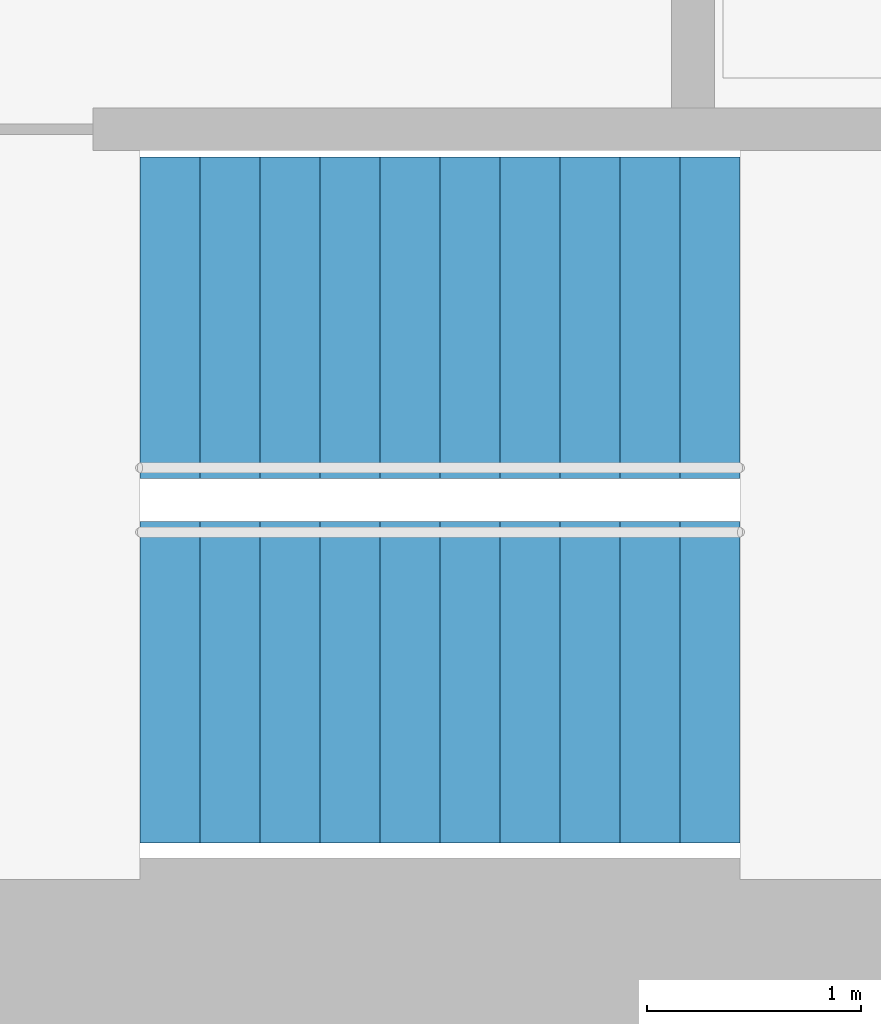
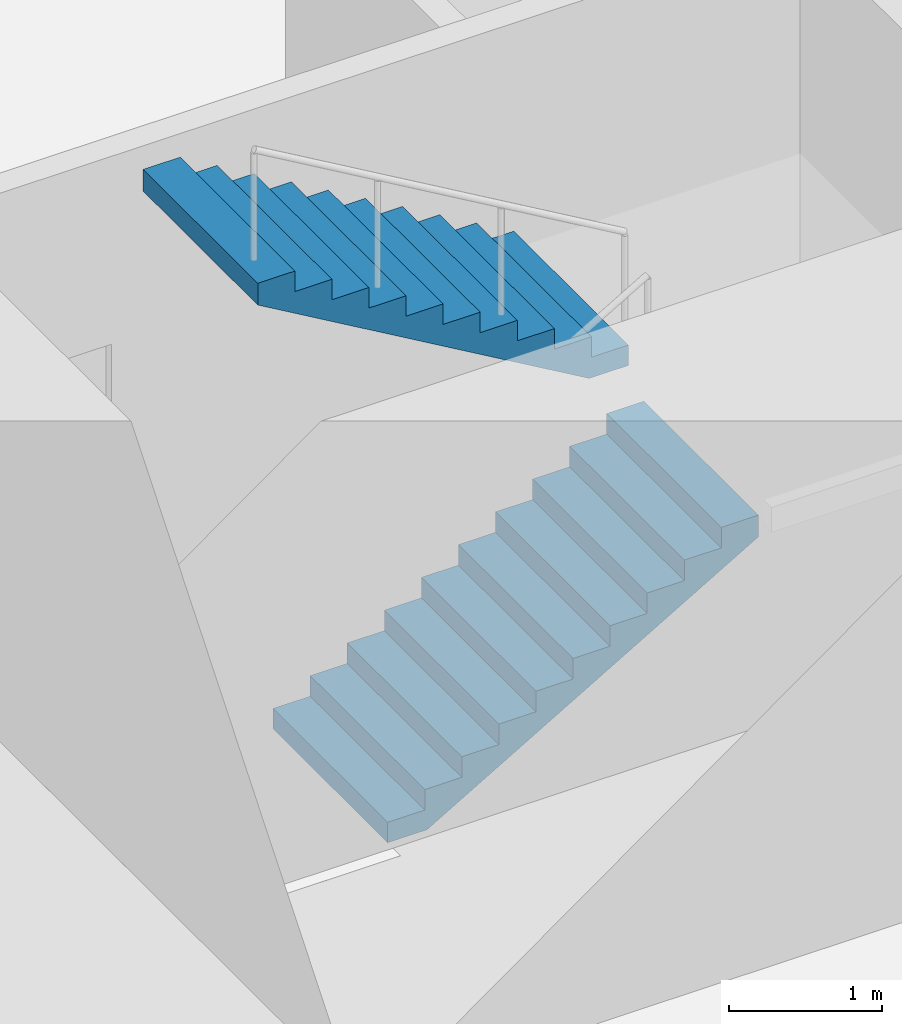
# One storey, part 13 of 15: 2 stair flights, 1 element without a shape of its own.
"""IFC4 building model written with IfcOpenShell, lengths in metres."""

from ifc_helpers import new_model, si_unit, direction, frame, origin, place, context, subcontext, project, spatial, triangles, material, type_object, element, aggregate, save


model = new_model("IFC4")

# Units and contexts
model_context = context("Model", 3, precision=1e-05, world=origin(), true_north=direction((0.0, 1.0)))
body_context = subcontext(model_context, "Body", "Model", "MODEL_VIEW")
ifc_project = project(units=[si_unit("LENGTHUNIT", "METRE"), si_unit("AREAUNIT", "SQUARE_METRE"), si_unit("VOLUMEUNIT", "CUBIC_METRE"), si_unit("PLANEANGLEUNIT", "RADIAN"), si_unit("MASSUNIT", "GRAM", prefix="KILO")], contexts=[model_context])

# Site, building, storey
site_placement = place(None, origin())
site = spatial("IfcSite", under=ifc_project, at=site_placement, CompositionType="ELEMENT")
building_placement = place(site_placement, origin())
building = spatial("IfcBuilding", under=site, at=building_placement, Name="Lantaw Convention Tower", CompositionType="ELEMENT")
storey_placement = place(building_placement, frame((0.0, 0.0, 62.199951171875)))
storey = spatial("IfcBuildingStorey", under=building, at=storey_placement, Name="L13", CompositionType="ELEMENT", Elevation=62.199951171875)

# Stair, stair flights
ifc_material = material(Name="Concrete C35/45", Category="concrete")
stair_type = type_object("IfcStairType", Name="Exit stair 1500 riser 163.64 in 2 flights", PredefinedType="HALF_TURN_STAIR", material=ifc_material)
stair_placement = place(storey_placement, origin())
stair = element("IfcStair", 1, at=stair_placement, inside=storey, type_object=stair_type, Name="Exit stair S1 L13", PredefinedType="HALF_TURN_STAIR")
stair_flight_type = type_object("IfcStairFlightType", Name="Stair flight 1500 riser 163.64", PredefinedType="STRAIGHT", material=ifc_material)
stair_flight_1_placement = place(storey_placement, frame((-10.580078125, -5.97998046875, 0.0), z_axis=(0.0, 0.0, 1.0), x_axis=(1.0, 0.0, 0.0)))
stair_flight_1 = element("IfcStairFlight", 2, at=stair_flight_1_placement, type_object=stair_flight_type, Name="S1 flight 1", NumberOfRisers=11, NumberOfTreads=10, PredefinedType="STRAIGHT", RiserHeight=0.163636364, TreadLength=0.28, context=body_context, shape_type="Tessellation", body=[
    triangles([(0.0, 0.75, 0.0), (0.0, 0.75, 0.163636364), (0.28, 0.75, 0.0), (0.28, 0.75, 0.163636364), (0.28, 0.75, 0.327272728), (0.2970904571225277, 0.75, 0.0), (0.2970904571225277, 0.75, 0.327272728), (0.56, 0.75, 0.1536484344906131), (0.56, 0.75, 0.327272728), (0.56, 0.75, 0.490909092), (0.8400000000000001, 0.75, 0.3172847984906131), (0.8400000000000001, 0.75, 0.490909092), (0.8400000000000001, 0.75, 0.654545456), (1.12, 0.75, 0.4809211624906131), (1.12, 0.75, 0.654545456), (1.12, 0.75, 0.8181818200000001), (1.4000000000000001, 0.75, 0.6445575264906132), (1.4000000000000001, 0.75, 0.8181818200000001), (1.4000000000000001, 0.75, 0.981818184), (1.6800000000000002, 0.75, 0.8081938904906131), (1.6800000000000002, 0.75, 0.981818184), (1.6800000000000002, 0.75, 1.145454548), (1.9600000000000002, 0.75, 0.9718302544906131), (1.9600000000000002, 0.75, 1.145454548), (1.9600000000000002, 0.75, 1.309090912), (2.24, 0.75, 1.135466618490613), (2.24, 0.75, 1.309090912), (2.24, 0.75, 1.472727276), (2.5200000000000005, 0.75, 1.2991029824906133), (2.5200000000000005, 0.75, 1.472727276), (2.5200000000000005, 0.75, 1.6363636400000001), (2.8000000000000003, 0.75, 1.462739346490613), (2.8000000000000003, 0.75, 1.6363636400000001), (0.0, -0.75, 0.0), (0.0, -0.75, 0.163636364), (0.28, -0.75, 0.0), (0.28, -0.75, 0.163636364), (0.28, -0.75, 0.327272728), (0.2970904571225277, -0.75, 0.0), (0.2970904571225277, -0.75, 0.327272728), (0.56, -0.75, 0.1536484344906131), (0.56, -0.75, 0.327272728), (0.56, -0.75, 0.490909092), (0.8400000000000001, -0.75, 0.3172847984906131), (0.8400000000000001, -0.75, 0.490909092), (0.8400000000000001, -0.75, 0.654545456), (1.12, -0.75, 0.4809211624906131), (1.12, -0.75, 0.654545456), (1.12, -0.75, 0.8181818200000001), (1.4000000000000001, -0.75, 0.6445575264906132), (1.4000000000000001, -0.75, 0.8181818200000001), (1.4000000000000001, -0.75, 0.981818184), (1.6800000000000002, -0.75, 0.8081938904906131), (1.6800000000000002, -0.75, 0.981818184), (1.6800000000000002, -0.75, 1.145454548), (1.9600000000000002, -0.75, 0.9718302544906131), (1.9600000000000002, -0.75, 1.145454548), (1.9600000000000002, -0.75, 1.309090912), (2.24, -0.75, 1.135466618490613), (2.24, -0.75, 1.309090912), (2.24, -0.75, 1.472727276), (2.5200000000000005, -0.75, 1.2991029824906133), (2.5200000000000005, -0.75, 1.472727276), (2.5200000000000005, -0.75, 1.6363636400000001), (2.8000000000000003, -0.75, 1.462739346490613), (2.8000000000000003, -0.75, 1.6363636400000001), (0.0, 0.15000000000000002, 0.163636364), (0.0, 0.15000000000000002, 0.0), (0.0, 0.0, 0.163636364), (0.0, 0.0, 0.0), (0.0, -0.15000000000000002, 0.163636364), (0.0, -0.15000000000000002, 0.0), (0.28, 0.15000000000000002, 0.327272728), (0.28, 0.15000000000000002, 0.163636364), (0.28, 0.0, 0.327272728), (0.28, 0.0, 0.163636364), (0.28, -0.15000000000000002, 0.327272728), (0.28, -0.15000000000000002, 0.163636364), (0.56, 0.15000000000000002, 0.490909092), (0.56, 0.15000000000000002, 0.327272728), (0.56, 0.0, 0.490909092), (0.56, 0.0, 0.327272728), (0.56, -0.15000000000000002, 0.490909092), (0.56, -0.15000000000000002, 0.327272728), (0.8400000000000001, 0.15000000000000002, 0.654545456), (0.8400000000000001, 0.15000000000000002, 0.490909092), (0.8400000000000001, 0.0, 0.654545456), (0.8400000000000001, 0.0, 0.490909092), (0.8400000000000001, -0.15000000000000002, 0.654545456), (0.8400000000000001, -0.15000000000000002, 0.490909092), (1.12, 0.15000000000000002, 0.8181818200000001), (1.12, 0.15000000000000002, 0.654545456), (1.12, 0.0, 0.8181818200000001), (1.12, 0.0, 0.654545456), (1.12, -0.15000000000000002, 0.8181818200000001), (1.12, -0.15000000000000002, 0.654545456), (1.4000000000000001, 0.15000000000000002, 0.981818184), (1.4000000000000001, 0.15000000000000002, 0.8181818200000001), (1.4000000000000001, 0.0, 0.981818184), (1.4000000000000001, 0.0, 0.8181818200000001), (1.4000000000000001, -0.15000000000000002, 0.981818184), (1.4000000000000001, -0.15000000000000002, 0.8181818200000001), (1.6800000000000002, 0.15000000000000002, 1.145454548), (1.6800000000000002, 0.15000000000000002, 0.981818184), (1.6800000000000002, 0.0, 1.145454548), (1.6800000000000002, 0.0, 0.981818184), (1.6800000000000002, -0.15000000000000002, 1.145454548), (1.6800000000000002, -0.15000000000000002, 0.981818184), (1.9600000000000002, 0.15000000000000002, 1.309090912), (1.9600000000000002, 0.15000000000000002, 1.145454548), (1.9600000000000002, 0.0, 1.309090912), (1.9600000000000002, 0.0, 1.145454548), (1.9600000000000002, -0.15000000000000002, 1.309090912), (1.9600000000000002, -0.15000000000000002, 1.145454548), (2.24, 0.15000000000000002, 1.472727276), (2.24, 0.15000000000000002, 1.309090912), (2.24, 0.0, 1.472727276), (2.24, 0.0, 1.309090912), (2.24, -0.15000000000000002, 1.472727276), (2.24, -0.15000000000000002, 1.309090912), (2.5200000000000005, 0.15000000000000002, 1.6363636400000001), (2.5200000000000005, 0.15000000000000002, 1.472727276), (2.5200000000000005, 0.0, 1.6363636400000001), (2.5200000000000005, 0.0, 1.472727276), (2.5200000000000005, -0.15000000000000002, 1.6363636400000001), (2.5200000000000005, -0.15000000000000002, 1.472727276), (0.2970904571225277, 0.15000000000000002, 0.327272728), (0.2970904571225277, 0.0, 0.327272728), (0.2970904571225277, -0.15000000000000002, 0.327272728), (2.8000000000000003, 0.15000000000000002, 1.6363636400000001), (2.8000000000000003, 0.0, 1.6363636400000001), (2.8000000000000003, -0.15000000000000002, 1.6363636400000001), (2.8000000000000003, 0.15000000000000002, 1.462739346490613), (2.8000000000000003, 0.0, 1.462739346490613), (2.8000000000000003, -0.15000000000000002, 1.462739346490613), (2.5200000000000005, 0.15000000000000002, 1.2991029824906133), (2.5200000000000005, 0.0, 1.2991029824906133), (2.5200000000000005, -0.15000000000000002, 1.2991029824906133), (2.24, 0.15000000000000002, 1.135466618490613), (2.24, 0.0, 1.135466618490613), (2.24, -0.15000000000000002, 1.135466618490613), (1.9600000000000002, 0.15000000000000002, 0.9718302544906131), (1.9600000000000002, 0.0, 0.9718302544906131), (1.9600000000000002, -0.15000000000000002, 0.9718302544906131), (1.6800000000000002, 0.15000000000000002, 0.8081938904906131), (1.6800000000000002, 0.0, 0.8081938904906131), (1.6800000000000002, -0.15000000000000002, 0.8081938904906131), (1.4000000000000001, 0.15000000000000002, 0.6445575264906132), (1.4000000000000001, 0.0, 0.6445575264906132), (1.4000000000000001, -0.15000000000000002, 0.6445575264906132), (1.12, 0.15000000000000002, 0.4809211624906131), (1.12, 0.0, 0.4809211624906131), (1.12, -0.15000000000000002, 0.4809211624906131), (0.8400000000000001, 0.15000000000000002, 0.3172847984906131), (0.8400000000000001, 0.0, 0.3172847984906131), (0.8400000000000001, -0.15000000000000002, 0.3172847984906131), (0.56, 0.15000000000000002, 0.1536484344906131), (0.56, 0.0, 0.1536484344906131), (0.56, -0.15000000000000002, 0.1536484344906131), (0.2970904571225277, 0.15000000000000002, 0.0), (0.2970904571225277, 0.0, 0.0), (0.2970904571225277, -0.15000000000000002, 0.0), (0.28, 0.15000000000000002, 0.0), (0.28, 0.0, 0.0), (0.28, -0.15000000000000002, 0.0)], [[1, 4, 3], [1, 2, 4], [3, 4, 6], [4, 7, 6], [4, 5, 7], [6, 9, 8], [6, 7, 9], [8, 9, 11], [9, 12, 11], [9, 10, 12], [11, 12, 14], [12, 15, 14], [12, 13, 15], [14, 15, 17], [15, 18, 17], [15, 16, 18], [17, 18, 20], [18, 21, 20], [18, 19, 21], [20, 21, 23], [21, 24, 23], [21, 22, 24], [23, 24, 26], [24, 27, 26], [24, 25, 27], [26, 27, 29], [27, 30, 29], [27, 28, 30], [29, 30, 32], [30, 33, 32], [30, 31, 33], [34, 36, 37], [34, 37, 35], [36, 39, 37], [37, 39, 40], [37, 40, 38], [39, 41, 42], [39, 42, 40], [41, 44, 42], [42, 44, 45], [42, 45, 43], [44, 47, 45], [45, 47, 48], [45, 48, 46], [47, 50, 48], [48, 50, 51], [48, 51, 49], [50, 53, 51], [51, 53, 54], [51, 54, 52], [53, 56, 54], [54, 56, 57], [54, 57, 55], [56, 59, 57], [57, 59, 60], [57, 60, 58], [59, 62, 60], [60, 62, 63], [60, 63, 61], [62, 65, 63], [63, 65, 66], [63, 66, 64], [1, 67, 2], [1, 68, 67], [68, 69, 67], [68, 70, 69], [70, 71, 69], [70, 72, 71], [72, 35, 71], [72, 34, 35], [4, 73, 5], [4, 74, 73], [74, 75, 73], [74, 76, 75], [76, 77, 75], [76, 78, 77], [78, 38, 77], [78, 37, 38], [9, 79, 10], [9, 80, 79], [80, 81, 79], [80, 82, 81], [82, 83, 81], [82, 84, 83], [84, 43, 83], [84, 42, 43], [12, 85, 13], [12, 86, 85], [86, 87, 85], [86, 88, 87], [88, 89, 87], [88, 90, 89], [90, 46, 89], [90, 45, 46], [15, 91, 16], [15, 92, 91], [92, 93, 91], [92, 94, 93], [94, 95, 93], [94, 96, 95], [96, 49, 95], [96, 48, 49], [18, 97, 19], [18, 98, 97], [98, 99, 97], [98, 100, 99], [100, 101, 99], [100, 102, 101], [102, 52, 101], [102, 51, 52], [21, 103, 22], [21, 104, 103], [104, 105, 103], [104, 106, 105], [106, 107, 105], [106, 108, 107], [108, 55, 107], [108, 54, 55], [24, 109, 25], [24, 110, 109], [110, 111, 109], [110, 112, 111], [112, 113, 111], [112, 114, 113], [114, 58, 113], [114, 57, 58], [27, 115, 28], [27, 116, 115], [116, 117, 115], [116, 118, 117], [118, 119, 117], [118, 120, 119], [120, 61, 119], [120, 60, 61], [30, 121, 31], [30, 122, 121], [122, 123, 121], [122, 124, 123], [124, 125, 123], [124, 126, 125], [126, 64, 125], [126, 63, 64], [2, 74, 4], [2, 67, 74], [67, 76, 74], [67, 69, 76], [69, 78, 76], [69, 71, 78], [71, 37, 78], [71, 35, 37], [5, 127, 7], [5, 73, 127], [73, 128, 127], [73, 75, 128], [75, 129, 128], [75, 77, 129], [77, 40, 129], [77, 38, 40], [7, 80, 9], [7, 127, 80], [127, 82, 80], [127, 128, 82], [128, 84, 82], [128, 129, 84], [129, 42, 84], [129, 40, 42], [10, 86, 12], [10, 79, 86], [79, 88, 86], [79, 81, 88], [81, 90, 88], [81, 83, 90], [83, 45, 90], [83, 43, 45], [13, 92, 15], [13, 85, 92], [85, 94, 92], [85, 87, 94], [87, 96, 94], [87, 89, 96], [89, 48, 96], [89, 46, 48], [16, 98, 18], [16, 91, 98], [91, 100, 98], [91, 93, 100], [93, 102, 100], [93, 95, 102], [95, 51, 102], [95, 49, 51], [19, 104, 21], [19, 97, 104], [97, 106, 104], [97, 99, 106], [99, 108, 106], [99, 101, 108], [101, 54, 108], [101, 52, 54], [22, 110, 24], [22, 103, 110], [103, 112, 110], [103, 105, 112], [105, 114, 112], [105, 107, 114], [107, 57, 114], [107, 55, 57], [25, 116, 27], [25, 109, 116], [109, 118, 116], [109, 111, 118], [111, 120, 118], [111, 113, 120], [113, 60, 120], [113, 58, 60], [28, 122, 30], [28, 115, 122], [115, 124, 122], [115, 117, 124], [117, 126, 124], [117, 119, 126], [119, 63, 126], [119, 61, 63], [31, 130, 33], [31, 121, 130], [121, 131, 130], [121, 123, 131], [123, 132, 131], [123, 125, 132], [125, 66, 132], [125, 64, 66], [33, 133, 32], [33, 130, 133], [130, 134, 133], [130, 131, 134], [131, 135, 134], [131, 132, 135], [132, 65, 135], [132, 66, 65], [32, 136, 29], [32, 133, 136], [133, 137, 136], [133, 134, 137], [134, 138, 137], [134, 135, 138], [135, 62, 138], [135, 65, 62], [29, 139, 26], [29, 136, 139], [136, 140, 139], [136, 137, 140], [137, 141, 140], [137, 138, 141], [138, 59, 141], [138, 62, 59], [26, 142, 23], [26, 139, 142], [139, 143, 142], [139, 140, 143], [140, 144, 143], [140, 141, 144], [141, 56, 144], [141, 59, 56], [23, 145, 20], [23, 142, 145], [142, 146, 145], [142, 143, 146], [143, 147, 146], [143, 144, 147], [144, 53, 147], [144, 56, 53], [20, 148, 17], [20, 145, 148], [145, 149, 148], [145, 146, 149], [146, 150, 149], [146, 147, 150], [147, 50, 150], [147, 53, 50], [17, 151, 14], [17, 148, 151], [148, 152, 151], [148, 149, 152], [149, 153, 152], [149, 150, 153], [150, 47, 153], [150, 50, 47], [14, 154, 11], [14, 151, 154], [151, 155, 154], [151, 152, 155], [152, 156, 155], [152, 153, 156], [153, 44, 156], [153, 47, 44], [11, 157, 8], [11, 154, 157], [154, 158, 157], [154, 155, 158], [155, 159, 158], [155, 156, 159], [156, 41, 159], [156, 44, 41], [8, 160, 6], [8, 157, 160], [157, 161, 160], [157, 158, 161], [158, 162, 161], [158, 159, 162], [159, 39, 162], [159, 41, 39], [6, 163, 3], [6, 160, 163], [160, 164, 163], [160, 161, 164], [161, 165, 164], [161, 162, 165], [162, 36, 165], [162, 39, 36], [3, 68, 1], [3, 163, 68], [163, 70, 68], [163, 164, 70], [164, 72, 70], [164, 165, 72], [165, 34, 72], [165, 36, 34]], closed=True),
])
stair_flight_2_placement = place(storey_placement, frame((-7.780029296875, -4.280029296875, 1.800048828125), z_axis=(0.0, 0.0, 1.0), x_axis=(-1.0, 0.0, 0.0)))
stair_flight_2 = element("IfcStairFlight", 3, at=stair_flight_2_placement, type_object=stair_flight_type, Name="S1 flight 2", NumberOfRisers=11, NumberOfTreads=10, PredefinedType="STRAIGHT", RiserHeight=0.163636364, TreadLength=0.28, context=body_context, shape_type="Tessellation", body=[
    triangles([(0.0, 0.75, 0.0), (0.0, 0.75, 0.163636364), (0.28, 0.75, 0.0), (0.28, 0.75, 0.163636364), (0.28, 0.75, 0.327272728), (0.2970904571225277, 0.75, 0.0), (0.2970904571225277, 0.75, 0.327272728), (0.56, 0.75, 0.1536484344906131), (0.56, 0.75, 0.327272728), (0.56, 0.75, 0.490909092), (0.8400000000000001, 0.75, 0.3172847984906131), (0.8400000000000001, 0.75, 0.490909092), (0.8400000000000001, 0.75, 0.654545456), (1.12, 0.75, 0.4809211624906131), (1.12, 0.75, 0.654545456), (1.12, 0.75, 0.8181818200000001), (1.4000000000000001, 0.75, 0.6445575264906132), (1.4000000000000001, 0.75, 0.8181818200000001), (1.4000000000000001, 0.75, 0.981818184), (1.6800000000000002, 0.75, 0.8081938904906131), (1.6800000000000002, 0.75, 0.981818184), (1.6800000000000002, 0.75, 1.145454548), (1.9600000000000002, 0.75, 0.9718302544906131), (1.9600000000000002, 0.75, 1.145454548), (1.9600000000000002, 0.75, 1.309090912), (2.24, 0.75, 1.135466618490613), (2.24, 0.75, 1.309090912), (2.24, 0.75, 1.472727276), (2.5200000000000005, 0.75, 1.2991029824906133), (2.5200000000000005, 0.75, 1.472727276), (2.5200000000000005, 0.75, 1.6363636400000001), (2.8000000000000003, 0.75, 1.462739346490613), (2.8000000000000003, 0.75, 1.6363636400000001), (0.0, -0.75, 0.0), (0.0, -0.75, 0.163636364), (0.28, -0.75, 0.0), (0.28, -0.75, 0.163636364), (0.28, -0.75, 0.327272728), (0.2970904571225277, -0.75, 0.0), (0.2970904571225277, -0.75, 0.327272728), (0.56, -0.75, 0.1536484344906131), (0.56, -0.75, 0.327272728), (0.56, -0.75, 0.490909092), (0.8400000000000001, -0.75, 0.3172847984906131), (0.8400000000000001, -0.75, 0.490909092), (0.8400000000000001, -0.75, 0.654545456), (1.12, -0.75, 0.4809211624906131), (1.12, -0.75, 0.654545456), (1.12, -0.75, 0.8181818200000001), (1.4000000000000001, -0.75, 0.6445575264906132), (1.4000000000000001, -0.75, 0.8181818200000001), (1.4000000000000001, -0.75, 0.981818184), (1.6800000000000002, -0.75, 0.8081938904906131), (1.6800000000000002, -0.75, 0.981818184), (1.6800000000000002, -0.75, 1.145454548), (1.9600000000000002, -0.75, 0.9718302544906131), (1.9600000000000002, -0.75, 1.145454548), (1.9600000000000002, -0.75, 1.309090912), (2.24, -0.75, 1.135466618490613), (2.24, -0.75, 1.309090912), (2.24, -0.75, 1.472727276), (2.5200000000000005, -0.75, 1.2991029824906133), (2.5200000000000005, -0.75, 1.472727276), (2.5200000000000005, -0.75, 1.6363636400000001), (2.8000000000000003, -0.75, 1.462739346490613), (2.8000000000000003, -0.75, 1.6363636400000001), (0.0, 0.15000000000000002, 0.163636364), (0.0, 0.15000000000000002, 0.0), (0.0, 0.0, 0.163636364), (0.0, 0.0, 0.0), (0.0, -0.15000000000000002, 0.163636364), (0.0, -0.15000000000000002, 0.0), (0.28, 0.15000000000000002, 0.327272728), (0.28, 0.15000000000000002, 0.163636364), (0.28, 0.0, 0.327272728), (0.28, 0.0, 0.163636364), (0.28, -0.15000000000000002, 0.327272728), (0.28, -0.15000000000000002, 0.163636364), (0.56, 0.15000000000000002, 0.490909092), (0.56, 0.15000000000000002, 0.327272728), (0.56, 0.0, 0.490909092), (0.56, 0.0, 0.327272728), (0.56, -0.15000000000000002, 0.490909092), (0.56, -0.15000000000000002, 0.327272728), (0.8400000000000001, 0.15000000000000002, 0.654545456), (0.8400000000000001, 0.15000000000000002, 0.490909092), (0.8400000000000001, 0.0, 0.654545456), (0.8400000000000001, 0.0, 0.490909092), (0.8400000000000001, -0.15000000000000002, 0.654545456), (0.8400000000000001, -0.15000000000000002, 0.490909092), (1.12, 0.15000000000000002, 0.8181818200000001), (1.12, 0.15000000000000002, 0.654545456), (1.12, 0.0, 0.8181818200000001), (1.12, 0.0, 0.654545456), (1.12, -0.15000000000000002, 0.8181818200000001), (1.12, -0.15000000000000002, 0.654545456), (1.4000000000000001, 0.15000000000000002, 0.981818184), (1.4000000000000001, 0.15000000000000002, 0.8181818200000001), (1.4000000000000001, 0.0, 0.981818184), (1.4000000000000001, 0.0, 0.8181818200000001), (1.4000000000000001, -0.15000000000000002, 0.981818184), (1.4000000000000001, -0.15000000000000002, 0.8181818200000001), (1.6800000000000002, 0.15000000000000002, 1.145454548), (1.6800000000000002, 0.15000000000000002, 0.981818184), (1.6800000000000002, 0.0, 1.145454548), (1.6800000000000002, 0.0, 0.981818184), (1.6800000000000002, -0.15000000000000002, 1.145454548), (1.6800000000000002, -0.15000000000000002, 0.981818184), (1.9600000000000002, 0.15000000000000002, 1.309090912), (1.9600000000000002, 0.15000000000000002, 1.145454548), (1.9600000000000002, 0.0, 1.309090912), (1.9600000000000002, 0.0, 1.145454548), (1.9600000000000002, -0.15000000000000002, 1.309090912), (1.9600000000000002, -0.15000000000000002, 1.145454548), (2.24, 0.15000000000000002, 1.472727276), (2.24, 0.15000000000000002, 1.309090912), (2.24, 0.0, 1.472727276), (2.24, 0.0, 1.309090912), (2.24, -0.15000000000000002, 1.472727276), (2.24, -0.15000000000000002, 1.309090912), (2.5200000000000005, 0.15000000000000002, 1.6363636400000001), (2.5200000000000005, 0.15000000000000002, 1.472727276), (2.5200000000000005, 0.0, 1.6363636400000001), (2.5200000000000005, 0.0, 1.472727276), (2.5200000000000005, -0.15000000000000002, 1.6363636400000001), (2.5200000000000005, -0.15000000000000002, 1.472727276), (0.2970904571225277, 0.15000000000000002, 0.327272728), (0.2970904571225277, 0.0, 0.327272728), (0.2970904571225277, -0.15000000000000002, 0.327272728), (2.8000000000000003, 0.15000000000000002, 1.6363636400000001), (2.8000000000000003, 0.0, 1.6363636400000001), (2.8000000000000003, -0.15000000000000002, 1.6363636400000001), (2.8000000000000003, 0.15000000000000002, 1.462739346490613), (2.8000000000000003, 0.0, 1.462739346490613), (2.8000000000000003, -0.15000000000000002, 1.462739346490613), (2.5200000000000005, 0.15000000000000002, 1.2991029824906133), (2.5200000000000005, 0.0, 1.2991029824906133), (2.5200000000000005, -0.15000000000000002, 1.2991029824906133), (2.24, 0.15000000000000002, 1.135466618490613), (2.24, 0.0, 1.135466618490613), (2.24, -0.15000000000000002, 1.135466618490613), (1.9600000000000002, 0.15000000000000002, 0.9718302544906131), (1.9600000000000002, 0.0, 0.9718302544906131), (1.9600000000000002, -0.15000000000000002, 0.9718302544906131), (1.6800000000000002, 0.15000000000000002, 0.8081938904906131), (1.6800000000000002, 0.0, 0.8081938904906131), (1.6800000000000002, -0.15000000000000002, 0.8081938904906131), (1.4000000000000001, 0.15000000000000002, 0.6445575264906132), (1.4000000000000001, 0.0, 0.6445575264906132), (1.4000000000000001, -0.15000000000000002, 0.6445575264906132), (1.12, 0.15000000000000002, 0.4809211624906131), (1.12, 0.0, 0.4809211624906131), (1.12, -0.15000000000000002, 0.4809211624906131), (0.8400000000000001, 0.15000000000000002, 0.3172847984906131), (0.8400000000000001, 0.0, 0.3172847984906131), (0.8400000000000001, -0.15000000000000002, 0.3172847984906131), (0.56, 0.15000000000000002, 0.1536484344906131), (0.56, 0.0, 0.1536484344906131), (0.56, -0.15000000000000002, 0.1536484344906131), (0.2970904571225277, 0.15000000000000002, 0.0), (0.2970904571225277, 0.0, 0.0), (0.2970904571225277, -0.15000000000000002, 0.0), (0.28, 0.15000000000000002, 0.0), (0.28, 0.0, 0.0), (0.28, -0.15000000000000002, 0.0)], [[1, 4, 3], [1, 2, 4], [3, 4, 6], [4, 7, 6], [4, 5, 7], [6, 9, 8], [6, 7, 9], [8, 9, 11], [9, 12, 11], [9, 10, 12], [11, 12, 14], [12, 15, 14], [12, 13, 15], [14, 15, 17], [15, 18, 17], [15, 16, 18], [17, 18, 20], [18, 21, 20], [18, 19, 21], [20, 21, 23], [21, 24, 23], [21, 22, 24], [23, 24, 26], [24, 27, 26], [24, 25, 27], [26, 27, 29], [27, 30, 29], [27, 28, 30], [29, 30, 32], [30, 33, 32], [30, 31, 33], [34, 36, 37], [34, 37, 35], [36, 39, 37], [37, 39, 40], [37, 40, 38], [39, 41, 42], [39, 42, 40], [41, 44, 42], [42, 44, 45], [42, 45, 43], [44, 47, 45], [45, 47, 48], [45, 48, 46], [47, 50, 48], [48, 50, 51], [48, 51, 49], [50, 53, 51], [51, 53, 54], [51, 54, 52], [53, 56, 54], [54, 56, 57], [54, 57, 55], [56, 59, 57], [57, 59, 60], [57, 60, 58], [59, 62, 60], [60, 62, 63], [60, 63, 61], [62, 65, 63], [63, 65, 66], [63, 66, 64], [1, 67, 2], [1, 68, 67], [68, 69, 67], [68, 70, 69], [70, 71, 69], [70, 72, 71], [72, 35, 71], [72, 34, 35], [4, 73, 5], [4, 74, 73], [74, 75, 73], [74, 76, 75], [76, 77, 75], [76, 78, 77], [78, 38, 77], [78, 37, 38], [9, 79, 10], [9, 80, 79], [80, 81, 79], [80, 82, 81], [82, 83, 81], [82, 84, 83], [84, 43, 83], [84, 42, 43], [12, 85, 13], [12, 86, 85], [86, 87, 85], [86, 88, 87], [88, 89, 87], [88, 90, 89], [90, 46, 89], [90, 45, 46], [15, 91, 16], [15, 92, 91], [92, 93, 91], [92, 94, 93], [94, 95, 93], [94, 96, 95], [96, 49, 95], [96, 48, 49], [18, 97, 19], [18, 98, 97], [98, 99, 97], [98, 100, 99], [100, 101, 99], [100, 102, 101], [102, 52, 101], [102, 51, 52], [21, 103, 22], [21, 104, 103], [104, 105, 103], [104, 106, 105], [106, 107, 105], [106, 108, 107], [108, 55, 107], [108, 54, 55], [24, 109, 25], [24, 110, 109], [110, 111, 109], [110, 112, 111], [112, 113, 111], [112, 114, 113], [114, 58, 113], [114, 57, 58], [27, 115, 28], [27, 116, 115], [116, 117, 115], [116, 118, 117], [118, 119, 117], [118, 120, 119], [120, 61, 119], [120, 60, 61], [30, 121, 31], [30, 122, 121], [122, 123, 121], [122, 124, 123], [124, 125, 123], [124, 126, 125], [126, 64, 125], [126, 63, 64], [2, 74, 4], [2, 67, 74], [67, 76, 74], [67, 69, 76], [69, 78, 76], [69, 71, 78], [71, 37, 78], [71, 35, 37], [5, 127, 7], [5, 73, 127], [73, 128, 127], [73, 75, 128], [75, 129, 128], [75, 77, 129], [77, 40, 129], [77, 38, 40], [7, 80, 9], [7, 127, 80], [127, 82, 80], [127, 128, 82], [128, 84, 82], [128, 129, 84], [129, 42, 84], [129, 40, 42], [10, 86, 12], [10, 79, 86], [79, 88, 86], [79, 81, 88], [81, 90, 88], [81, 83, 90], [83, 45, 90], [83, 43, 45], [13, 92, 15], [13, 85, 92], [85, 94, 92], [85, 87, 94], [87, 96, 94], [87, 89, 96], [89, 48, 96], [89, 46, 48], [16, 98, 18], [16, 91, 98], [91, 100, 98], [91, 93, 100], [93, 102, 100], [93, 95, 102], [95, 51, 102], [95, 49, 51], [19, 104, 21], [19, 97, 104], [97, 106, 104], [97, 99, 106], [99, 108, 106], [99, 101, 108], [101, 54, 108], [101, 52, 54], [22, 110, 24], [22, 103, 110], [103, 112, 110], [103, 105, 112], [105, 114, 112], [105, 107, 114], [107, 57, 114], [107, 55, 57], [25, 116, 27], [25, 109, 116], [109, 118, 116], [109, 111, 118], [111, 120, 118], [111, 113, 120], [113, 60, 120], [113, 58, 60], [28, 122, 30], [28, 115, 122], [115, 124, 122], [115, 117, 124], [117, 126, 124], [117, 119, 126], [119, 63, 126], [119, 61, 63], [31, 130, 33], [31, 121, 130], [121, 131, 130], [121, 123, 131], [123, 132, 131], [123, 125, 132], [125, 66, 132], [125, 64, 66], [33, 133, 32], [33, 130, 133], [130, 134, 133], [130, 131, 134], [131, 135, 134], [131, 132, 135], [132, 65, 135], [132, 66, 65], [32, 136, 29], [32, 133, 136], [133, 137, 136], [133, 134, 137], [134, 138, 137], [134, 135, 138], [135, 62, 138], [135, 65, 62], [29, 139, 26], [29, 136, 139], [136, 140, 139], [136, 137, 140], [137, 141, 140], [137, 138, 141], [138, 59, 141], [138, 62, 59], [26, 142, 23], [26, 139, 142], [139, 143, 142], [139, 140, 143], [140, 144, 143], [140, 141, 144], [141, 56, 144], [141, 59, 56], [23, 145, 20], [23, 142, 145], [142, 146, 145], [142, 143, 146], [143, 147, 146], [143, 144, 147], [144, 53, 147], [144, 56, 53], [20, 148, 17], [20, 145, 148], [145, 149, 148], [145, 146, 149], [146, 150, 149], [146, 147, 150], [147, 50, 150], [147, 53, 50], [17, 151, 14], [17, 148, 151], [148, 152, 151], [148, 149, 152], [149, 153, 152], [149, 150, 153], [150, 47, 153], [150, 50, 47], [14, 154, 11], [14, 151, 154], [151, 155, 154], [151, 152, 155], [152, 156, 155], [152, 153, 156], [153, 44, 156], [153, 47, 44], [11, 157, 8], [11, 154, 157], [154, 158, 157], [154, 155, 158], [155, 159, 158], [155, 156, 159], [156, 41, 159], [156, 44, 41], [8, 160, 6], [8, 157, 160], [157, 161, 160], [157, 158, 161], [158, 162, 161], [158, 159, 162], [159, 39, 162], [159, 41, 39], [6, 163, 3], [6, 160, 163], [160, 164, 163], [160, 161, 164], [161, 165, 164], [161, 162, 165], [162, 36, 165], [162, 39, 36], [3, 68, 1], [3, 163, 68], [163, 70, 68], [163, 164, 70], [164, 72, 70], [164, 165, 72], [165, 34, 72], [165, 36, 34]], closed=True),
])
aggregate(stair, [stair_flight_1, stair_flight_2])

save(model, "model.ifc")
